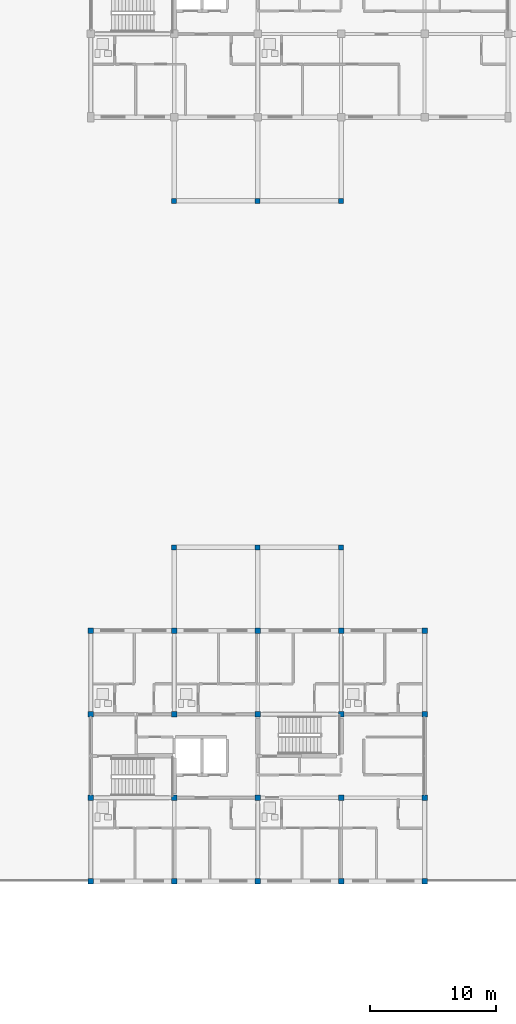
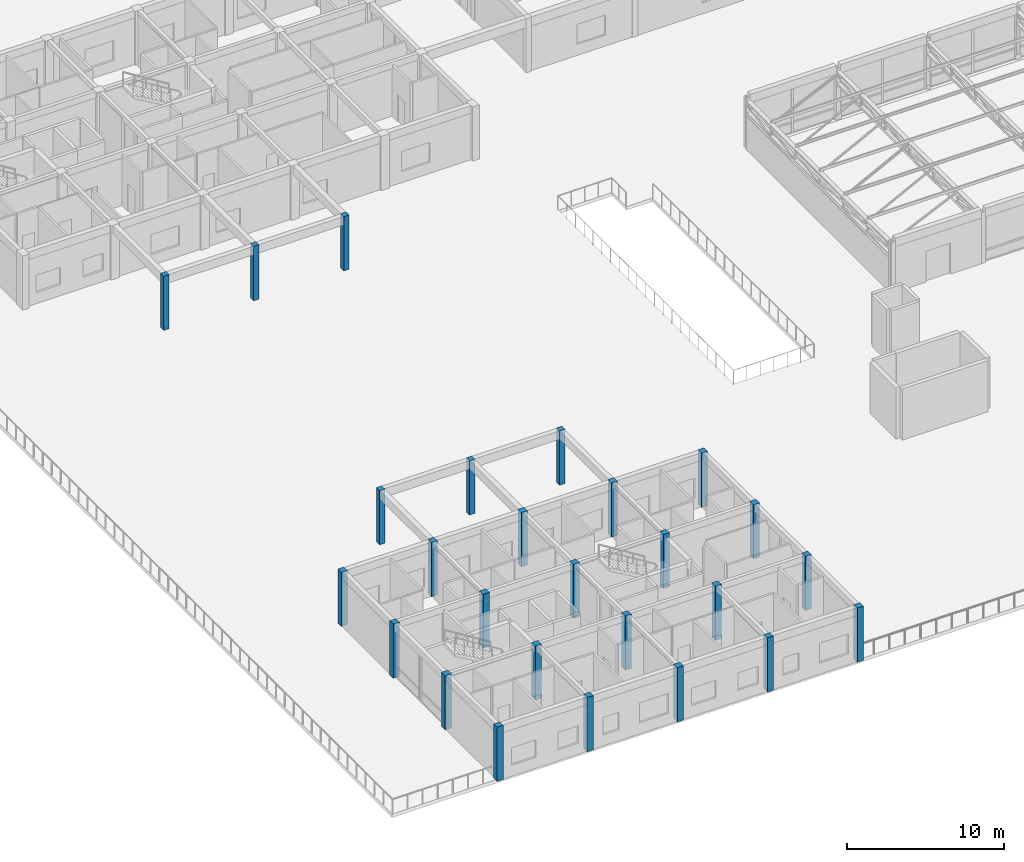
# One storey, part 1 of 92: 26 columns.
"""IFC4 building model written with IfcOpenShell, lengths in metres."""

from ifc_helpers import new_model, si_unit, direction, frame, origin, origin_2d, place, context, subcontext, project, spatial, rectangle, extrude, material, material_profile, profile_set, type_object, element, save


model = new_model("IFC4")

# Units and contexts
model_context = context("Model", 3, precision=1e-05, world=origin(), true_north=direction((0.0, 1.0)))
body_context = subcontext(model_context, "Body", "Model", "MODEL_VIEW")
ifc_project = project(units=[si_unit("LENGTHUNIT", "METRE"), si_unit("AREAUNIT", "SQUARE_METRE"), si_unit("VOLUMEUNIT", "CUBIC_METRE"), si_unit("PLANEANGLEUNIT", "RADIAN"), si_unit("MASSUNIT", "GRAM", prefix="KILO")], contexts=[model_context])

# Site, building, storey
site_placement = place(None, origin())
site = spatial("IfcSite", under=ifc_project, at=site_placement, CompositionType="ELEMENT")
building_placement = place(site_placement, origin())
building = spatial("IfcBuilding", under=site, at=building_placement, Name="Kernevlak Ridge Housing Community", CompositionType="ELEMENT")
storey_placement = place(building_placement, frame((0.0, 0.0, 4.199951171875)))
storey = spatial("IfcBuildingStorey", under=building, at=storey_placement, Name="L01", CompositionType="ELEMENT", Elevation=4.199951171875)

# Columns
ifc_material = material(Name="Concrete C35/45", Category="concrete")
ifc_material_profile_1 = material_profile(ifc_material, rectangle(XDim=0.449951171875, YDim=0.449951171875, at=origin_2d()), Name="RC 450x450")
ifc_profile_set_1 = profile_set([ifc_material_profile_1], Name="Concrete C35/45")
column_type_1 = type_object("IfcColumnType", Name="C-04", PredefinedType="COLUMN", material=ifc_profile_set_1)
for number, where, z_axis, x_axis, name in (
    (1, (15.60009765625, 15.60009765625, 0.0), (0.0, 0.0, 1.0), (1.0, 0.0, 0.0), "Column C-04 COL-D-L01-00-0"),
    (2, (15.60009765625, 22.199951171875, 0.0), (0.0, 0.0, 1.0), (1.0, 0.0, 0.0), "Column C-04 COL-D-L01-00-1"),
    (3, (15.60009765625, 28.800048828125, 0.0), (0.0, 0.0, 1.0), (1.0, 0.0, 0.0), "Column C-04 COL-D-L01-00-2"),
    (4, (15.60009765625, 35.39990234375, 0.0), (0.0, 0.0, 1.0), (1.0, 0.0, 0.0), "Column C-04 COL-D-L01-00-3"),
    (5, (22.199951171875, 15.60009765625, 0.0), (0.0, 0.0, 1.0), (1.0, 0.0, 0.0), "Column C-04 COL-D-L01-01-0"),
    (6, (22.199951171875, 22.199951171875, 0.0), (0.0, 0.0, 1.0), (1.0, 0.0, 0.0), "Column C-04 COL-D-L01-01-1"),
    (7, (22.199951171875, 28.800048828125, 0.0), (0.0, 0.0, 1.0), (1.0, 0.0, 0.0), "Column C-04 COL-D-L01-01-2"),
    (8, (22.199951171875, 35.39990234375, 0.0), (0.0, 0.0, 1.0), (1.0, 0.0, 0.0), "Column C-04 COL-D-L01-01-3"),
    (9, (28.800048828125, 15.60009765625, 0.0), (0.0, 0.0, 1.0), (1.0, 0.0, 0.0), "Column C-04 COL-D-L01-02-0"),
    (10, (28.800048828125, 22.199951171875, 0.0), (0.0, 0.0, 1.0), (1.0, 0.0, 0.0), "Column C-04 COL-D-L01-02-1"),
    (11, (28.800048828125, 28.800048828125, 0.0), (0.0, 0.0, 1.0), (1.0, 0.0, 0.0), "Column C-04 COL-D-L01-02-2"),
    (12, (28.800048828125, 35.39990234375, 0.0), (0.0, 0.0, 1.0), (1.0, 0.0, 0.0), "Column C-04 COL-D-L01-02-3"),
    (13, (35.39990234375, 15.60009765625, 0.0), (0.0, 0.0, 1.0), (1.0, 0.0, 0.0), "Column C-04 COL-D-L01-03-0"),
    (14, (35.39990234375, 22.199951171875, 0.0), (0.0, 0.0, 1.0), (1.0, 0.0, 0.0), "Column C-04 COL-D-L01-03-1"),
    (15, (35.39990234375, 28.800048828125, 0.0), (0.0, 0.0, 1.0), (1.0, 0.0, 0.0), "Column C-04 COL-D-L01-03-2"),
    (16, (35.39990234375, 35.39990234375, 0.0), (0.0, 0.0, 1.0), (1.0, 0.0, 0.0), "Column C-04 COL-D-L01-03-3"),
    (17, (42.0, 15.60009765625, 0.0), (0.0, 0.0, 1.0), (1.0, 0.0, 0.0), "Column C-04 COL-D-L01-04-0"),
    (18, (42.0, 22.199951171875, 0.0), (0.0, 0.0, 1.0), (1.0, 0.0, 0.0), "Column C-04 COL-D-L01-04-1"),
    (19, (42.0, 28.800048828125, 0.0), (0.0, 0.0, 1.0), (1.0, 0.0, 0.0), "Column C-04 COL-D-L01-04-2"),
    (20, (42.0, 35.39990234375, 0.0), (0.0, 0.0, 1.0), (1.0, 0.0, 0.0), "Column C-04 COL-D-L01-04-3"),
):
    element("IfcColumn", number, at=place(storey_placement, frame(where, z_axis=z_axis, x_axis=x_axis)), inside=storey, type_object=column_type_1, Name=name, PredefinedType="COLUMN", context=body_context, shape_type="SweptSolid", body=[
        extrude(rectangle(XDim=0.449951171875, YDim=0.449951171875, at=origin_2d()), origin(), (0.0, 0.0, 1.0), 4.199951171875),
    ])
ifc_material_profile_2 = material_profile(ifc_material, rectangle(XDim=0.39990234375, YDim=0.39990234375, at=origin_2d()), Name="RC 400x400")
ifc_profile_set_2 = profile_set([ifc_material_profile_2], Name="Concrete C35/45")
column_type_2 = type_object("IfcColumnType", Name="C-05", PredefinedType="COLUMN", material=ifc_profile_set_2)
for number, where, z_axis, x_axis, name in (
    (21, (22.199951171875, 42.0, 0.0), (0.0, 0.0, 1.0), (1.0, 0.0, 0.0), "Column C-05 COL-NUR-L01-045"),
    (22, (28.800048828125, 42.0, 0.0), (0.0, 0.0, 1.0), (1.0, 0.0, 0.0), "Column C-05 COL-NUR-L01-054"),
    (23, (35.39990234375, 42.0, 0.0), (0.0, 0.0, 1.0), (1.0, 0.0, 0.0), "Column C-05 COL-NUR-L01-063"),
    (24, (22.199951171875, 69.39990234375, 0.0), (0.0, 0.0, 1.0), (1.0, 0.0, 0.0), "Column C-05 COL-NUR-L01-303"),
    (25, (28.800048828125, 69.39990234375, 0.0), (0.0, 0.0, 1.0), (1.0, 0.0, 0.0), "Column C-05 COL-NUR-L01-304"),
    (26, (35.39990234375, 69.39990234375, 0.0), (0.0, 0.0, 1.0), (1.0, 0.0, 0.0), "Column C-05 COL-NUR-L01-305"),
):
    element("IfcColumn", number, at=place(storey_placement, frame(where, z_axis=z_axis, x_axis=x_axis)), inside=storey, type_object=column_type_2, Name=name, PredefinedType="COLUMN", context=body_context, shape_type="SweptSolid", body=[
        extrude(rectangle(XDim=0.39990234375, YDim=0.39990234375, at=origin_2d()), origin(), (0.0, 0.0, 1.0), 4.199951171875),
    ])

save(model, "model.ifc")
